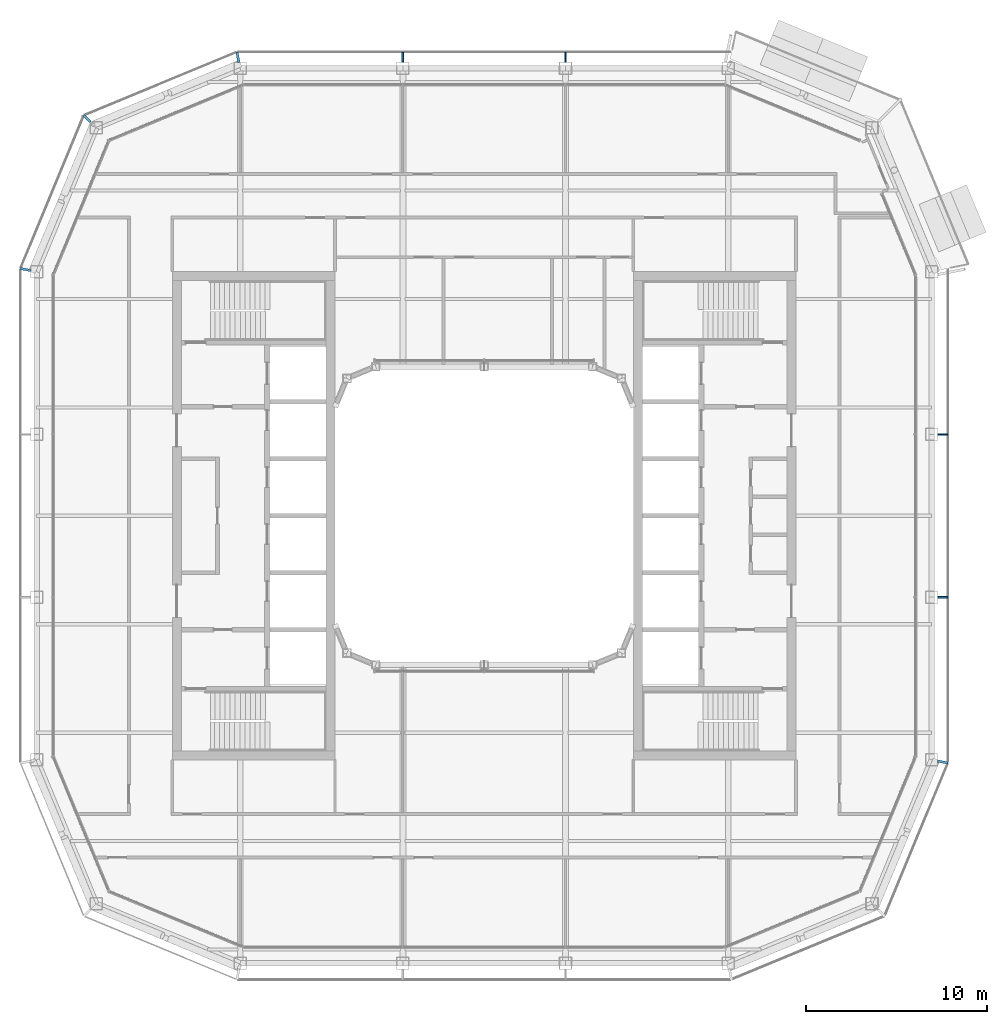
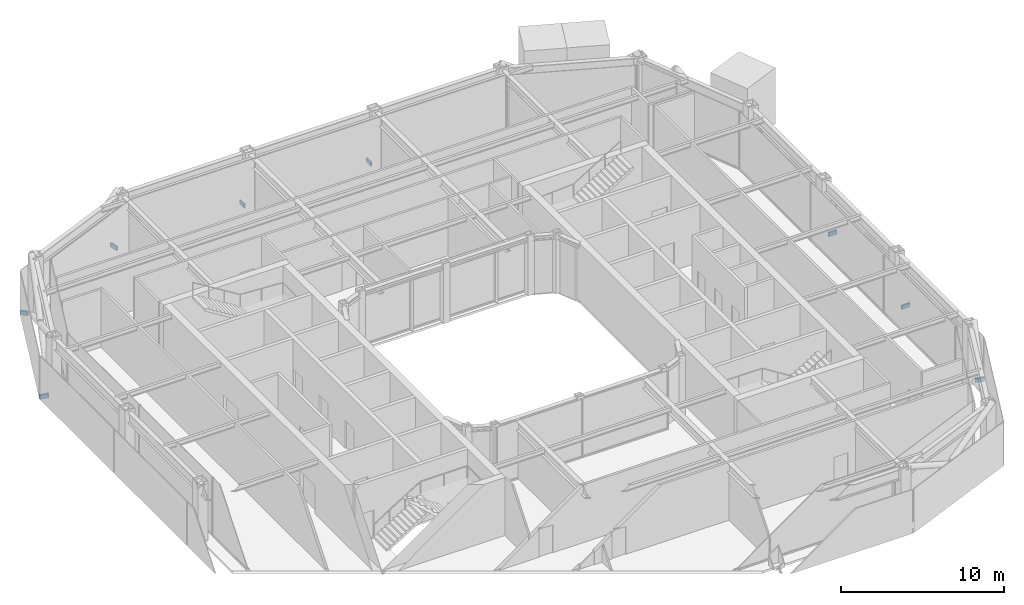
# One storey, part 15 of 21: 8 discrete accessories.
"""IFC4 building model written with IfcOpenShell, lengths in metres."""

from ifc_helpers import new_model, si_unit, direction, frame, origin, origin_2d, place, context, subcontext, project, spatial, rectangle, extrude, material, type_object, element, save


model = new_model("IFC4")

# Units and contexts
model_context = context("Model", 3, precision=1e-05, world=origin(), true_north=direction((0.0, 1.0)))
body_context = subcontext(model_context, "Body", "Model", "MODEL_VIEW")
ifc_project = project(units=[si_unit("LENGTHUNIT", "METRE"), si_unit("AREAUNIT", "SQUARE_METRE"), si_unit("VOLUMEUNIT", "CUBIC_METRE"), si_unit("PLANEANGLEUNIT", "RADIAN"), si_unit("MASSUNIT", "GRAM", prefix="KILO")], contexts=[model_context])

# Site, building, storey
site_placement = place(None, origin())
site = spatial("IfcSite", under=ifc_project, at=site_placement, CompositionType="ELEMENT")
building_placement = place(site_placement, origin())
building = spatial("IfcBuilding", under=site, at=building_placement, Name="Siwar Civic Tower", CompositionType="ELEMENT")
storey_placement = place(building_placement, frame((0.0, 0.0, 325.699951171875)))
storey = spatial("IfcBuildingStorey", under=building, at=storey_placement, Name="L70", CompositionType="ELEMENT", Elevation=325.699951171875)

# Discrete accessories
ifc_material = material(Name="Stainless steel 316", Category="steel")
discrete_accessory_type = type_object("IfcDiscreteAccessoryType", Name="ENV-BRACKET", PredefinedType="BRACKET", material=ifc_material)
for number, where, z_axis, x_axis, name in (
    (1, (25.364990234375, -4.5, -0.14990234375), (0.0, 0.0, 1.0), (1.0, 0.0, 0.0), "Bracket outer skin joint E-01"),
    (2, (25.364990234375, 4.5, -0.14990234375), (0.0, 0.0, 1.0), (1.0, 0.0, 0.0), "Bracket outer skin joint E-02"),
    (3, (4.5, 25.364990234375, -0.14990234375), (0.0, 0.0, 1.0), (0.0, 1.0, 0.0), "Bracket outer skin joint N-01"),
    (4, (-4.5, 25.364990234375, -0.14990234375), (0.0, 0.0, 1.0), (0.0, 1.0, 0.0), "Bracket outer skin joint N-02"),
):
    element("IfcDiscreteAccessory", number, at=place(storey_placement, frame(where, z_axis=z_axis, x_axis=x_axis)), inside=storey, type_object=discrete_accessory_type, Name=name, PredefinedType="BRACKET", context=body_context, shape_type="SweptSolid", body=[
        extrude(rectangle(XDim=0.570068359375, YDim=0.10009765625, at=origin_2d()), origin(), (0.0, 0.0, 1.0), 0.300048828125),
    ])
for number, where, z_axis, x_axis, name in (
    (5, (25.365234375, -13.622314453125, -0.14990234375), (0.0, 0.0, 1.0), (0.980785280403, -0.195090322016, 0.0), "Bracket outer skin joint V03"),
    (6, (-13.622314453125, 25.365234375, -0.14990234375), (0.0, 0.0, 1.0), (-0.195090322016, 0.980785280403, 0.0), "Bracket outer skin joint V07"),
):
    element("IfcDiscreteAccessory", number, at=place(storey_placement, frame(where, z_axis=z_axis, x_axis=x_axis)), inside=storey, type_object=discrete_accessory_type, Name=name, PredefinedType="BRACKET", context=body_context, shape_type="SweptSolid", body=[
        extrude(rectangle(XDim=0.580810546875, YDim=0.13720703125, at=origin_2d()), origin(), (0.0, 0.0, 1.0), 0.300048828125),
    ])
discrete_accessory_1_placement = place(storey_placement, frame((-21.96728515625, 21.96728515625, -0.14990234375), z_axis=(0.0, 0.0, 1.0), x_axis=(-0.707106781187, 0.707106781187, 0.0)))
element("IfcDiscreteAccessory", 7, at=discrete_accessory_1_placement, inside=storey, type_object=discrete_accessory_type, Name="Bracket outer skin joint V08", PredefinedType="BRACKET", context=body_context, shape_type="SweptSolid", body=[
    extrude(rectangle(XDim=0.499267578125, YDim=0.12939453125, at=origin_2d()), origin(), (0.0, 0.0, 1.0), 0.300048828125),
])
discrete_accessory_2_placement = place(storey_placement, frame((-25.365234375, 13.622314453125, -0.14990234375), z_axis=(0.0, 0.0, 1.0), x_axis=(-0.980785280403, 0.195090322016, 0.0)))
element("IfcDiscreteAccessory", 8, at=discrete_accessory_2_placement, inside=storey, type_object=discrete_accessory_type, Name="Bracket outer skin joint V09", PredefinedType="BRACKET", context=body_context, shape_type="SweptSolid", body=[
    extrude(rectangle(XDim=0.580810546875, YDim=0.13720703125, at=origin_2d()), origin(), (0.0, 0.0, 1.0), 0.300048828125),
])

save(model, "model.ifc")
